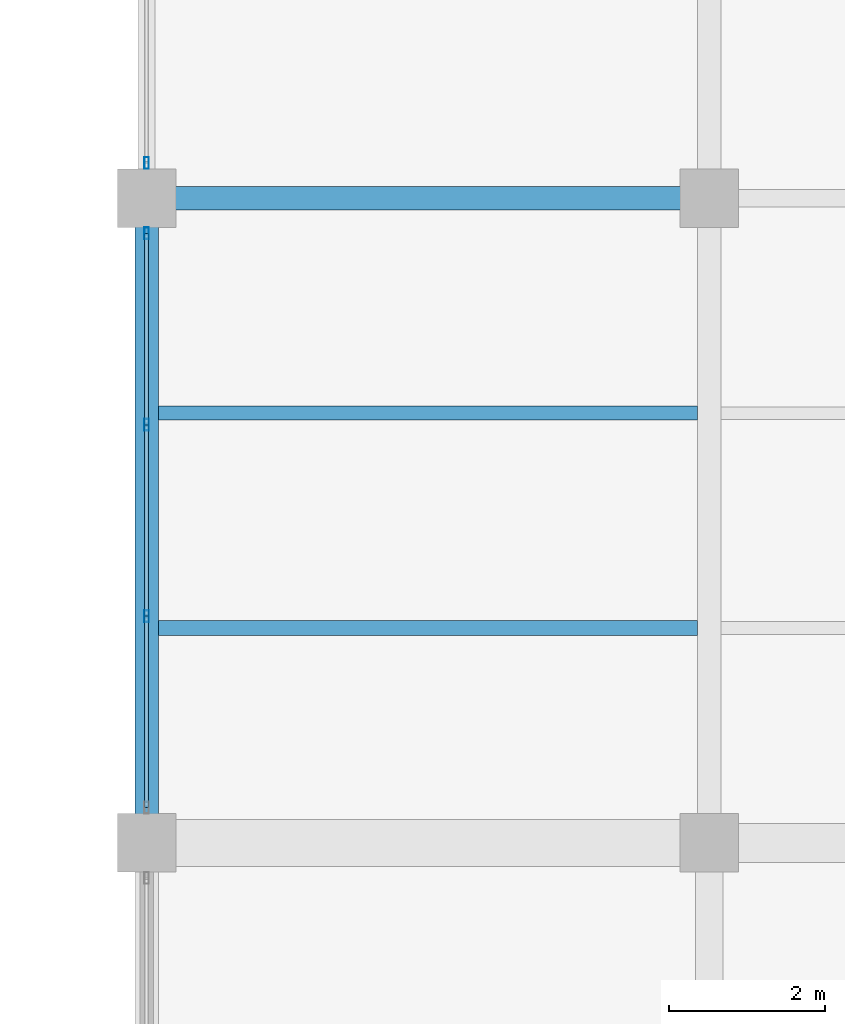
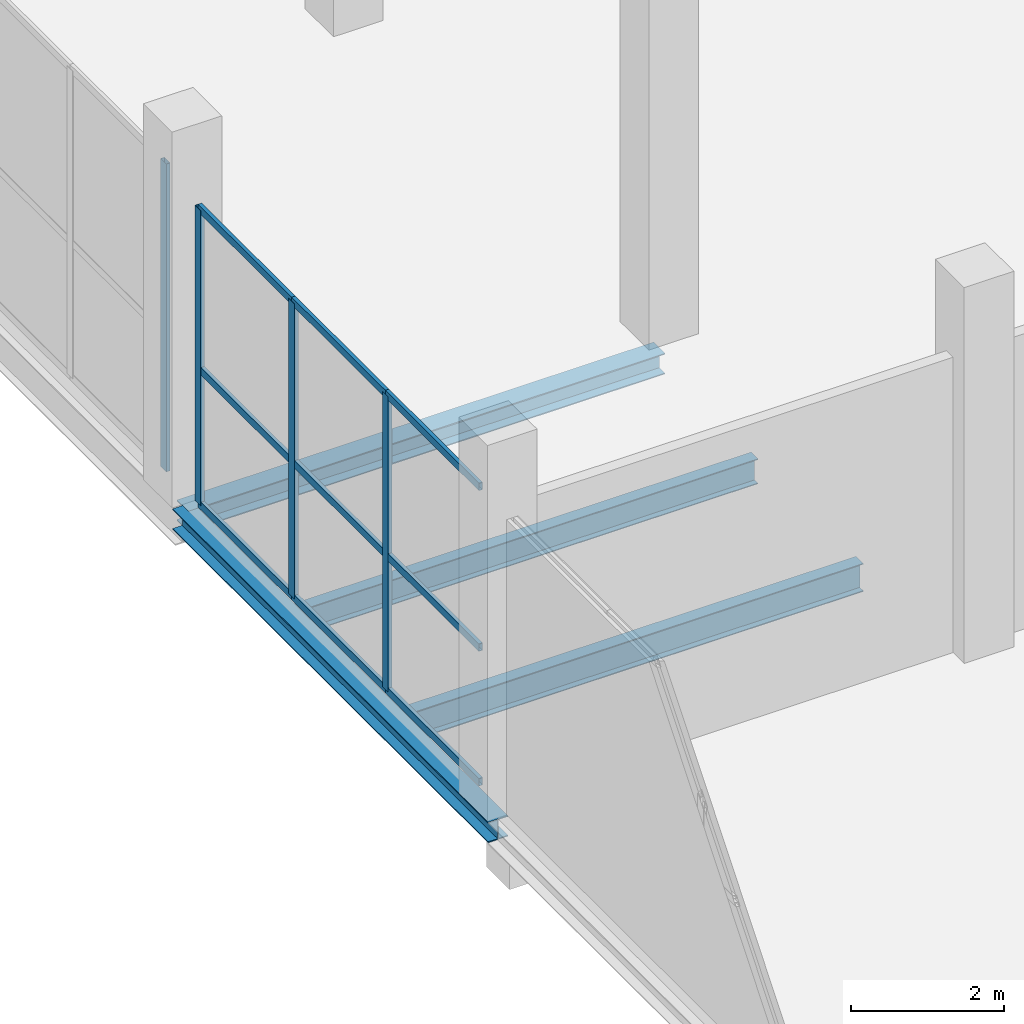
# One storey, part 110 of 144: 13 members, 4 beams, 2 elements without a shape of their own.
"""IFC4 building model written with IfcOpenShell, lengths in metres."""

from ifc_helpers import new_model, si_unit, direction, frame, origin, origin_2d, place, context, subcontext, project, spatial, hollow_rectangle, i_section, extrude, material, layer, layer_set, material_profile, profile_set, type_object, element, aggregate, save


model = new_model("IFC4")

# Units and contexts
model_context = context("Model", 3, precision=1e-05, world=origin(), true_north=direction((0.0, 1.0)))
body_context = subcontext(model_context, "Body", "Model", "MODEL_VIEW")
ifc_project = project(units=[si_unit("LENGTHUNIT", "METRE"), si_unit("AREAUNIT", "SQUARE_METRE"), si_unit("VOLUMEUNIT", "CUBIC_METRE"), si_unit("PLANEANGLEUNIT", "RADIAN"), si_unit("MASSUNIT", "GRAM", prefix="KILO")], contexts=[model_context])

# Site, building, storey
site_placement = place(None, origin())
site = spatial("IfcSite", under=ifc_project, at=site_placement, CompositionType="ELEMENT")
building_placement = place(site_placement, origin())
building = spatial("IfcBuilding", under=site, at=building_placement, Name="Sundgate Opera House", CompositionType="ELEMENT")
storey_placement = place(building_placement, origin())
storey = spatial("IfcBuildingStorey", under=building, at=storey_placement, Name="L00", CompositionType="ELEMENT", Elevation=0.0)

# Beams
ifc_material_1 = material(Name="Steel S355J2", Category="steel")
ifc_material_profile_1 = material_profile(ifc_material_1, i_section(OverallWidth=0.300048828125, OverallDepth=0.330078125, WebThickness=0.009521484375, FlangeThickness=0.0166015625, at=origin_2d()), Name="HEA 340")
ifc_profile_set_1 = profile_set([ifc_material_profile_1], Name="Steel S355J2")
beam_type_1 = type_object("IfcBeamType", Name="BM-GR-HEA340", PredefinedType="BEAM", material=ifc_profile_set_1)
beam_1_placement = place(storey_placement, frame((153.0, 95.25, -0.485107421875), z_axis=(0.0, 1.0, 0.0), x_axis=(-1.0, 0.0, 0.0)))
element("IfcBeam", 1, at=beam_1_placement, inside=storey, type_object=beam_type_1, Name="L00 Primary N-S Girder B0292", PredefinedType="BEAM", context=body_context, shape_type="SweptSolid", body=[
    extrude(i_section(OverallWidth=0.300048828125, OverallDepth=0.330078125, WebThickness=0.009521484375, FlangeThickness=0.0166015625, at=origin_2d()), origin(), (0.0, 0.0, 1.0), 8.25),
])
beam_2_placement = place(storey_placement, frame((153.0, 103.5, -0.485107421875), z_axis=(1.0, 0.0, 0.0), x_axis=(0.0, 1.0, 0.0)))
element("IfcBeam", 2, at=beam_2_placement, inside=storey, type_object=beam_type_1, Name="L00 Primary E-W Girder B0555", PredefinedType="BEAM", context=body_context, shape_type="SweptSolid", body=[
    extrude(i_section(OverallWidth=0.300048828125, OverallDepth=0.330078125, WebThickness=0.009521484375, FlangeThickness=0.0166015625, at=origin_2d()), origin(), (0.0, 0.0, 1.0), 7.199951171875),
])
ifc_material_2 = material(Name="Steel S355J2", Category="steel")
ifc_material_profile_2 = material_profile(ifc_material_2, i_section(OverallWidth=0.179931640625, OverallDepth=0.39990234375, WebThickness=0.008544921875, FlangeThickness=0.013427734375, at=origin_2d()), Name="IPE 400")
ifc_profile_set_2 = profile_set([ifc_material_profile_2], Name="Steel S355J2")
beam_type_2 = type_object("IfcBeamType", Name="BM-JS-IPE400", PredefinedType="JOIST", material=ifc_profile_set_2)
beam_3_placement = place(storey_placement, frame((153.14990234375, 100.75, -0.52001953125), z_axis=(1.0, 0.0, 0.0), x_axis=(0.0, 1.0, 0.0)))
element("IfcBeam", 3, at=beam_3_placement, inside=storey, type_object=beam_type_2, Name="L00 Secondary Floor Joist B0981", PredefinedType="JOIST", context=body_context, shape_type="SweptSolid", body=[
    extrude(i_section(OverallWidth=0.179931640625, OverallDepth=0.39990234375, WebThickness=0.008544921875, FlangeThickness=0.013427734375, at=origin_2d()), origin(), (0.0, 0.0, 1.0), 6.900146484375),
])
ifc_material_3 = material(Name="Steel S355J2", Category="steel")
ifc_material_profile_3 = material_profile(ifc_material_3, i_section(OverallWidth=0.18994140625, OverallDepth=0.449951171875, WebThickness=0.009521484375, FlangeThickness=0.0146484375, at=origin_2d()), Name="IPE 450")
ifc_profile_set_3 = profile_set([ifc_material_profile_3], Name="Steel S355J2")
beam_type_3 = type_object("IfcBeamType", Name="BM-JS-IPE450", PredefinedType="JOIST", material=ifc_profile_set_3)
beam_4_placement = place(storey_placement, frame((153.14990234375, 98.0, -0.544921875), z_axis=(1.0, 0.0, 0.0), x_axis=(0.0, 1.0, 0.0)))
element("IfcBeam", 4, at=beam_4_placement, inside=storey, type_object=beam_type_3, Name="L00 Secondary Floor Joist B0980", PredefinedType="JOIST", context=body_context, shape_type="SweptSolid", body=[
    extrude(i_section(OverallWidth=0.18994140625, OverallDepth=0.449951171875, WebThickness=0.009521484375, FlangeThickness=0.0146484375, at=origin_2d()), origin(), (0.0, 0.0, 1.0), 6.900146484375),
])

# Curtain wall, members
ifc_material_4 = material(Name="Anodized aluminium and low-iron glass", Category="aluminium")
ifc_layer = layer(ifc_material_4, 0.159912109375)
ifc_layer_set = layer_set([ifc_layer], Name="Anodized aluminium and low-iron glass")
curtain_wall_type = type_object("IfcCurtainWallType", Name="CW-STUDIO-DARK", PredefinedType="NOTDEFINED", material=ifc_layer_set)
curtain_wall_1_placement = place(storey_placement, origin())
curtain_wall_1 = element("IfcCurtainWall", 5, at=curtain_wall_1_placement, inside=storey, type_object=curtain_wall_type, Name="L00 Curtain Wall CW091", PredefinedType="NOTDEFINED")
ifc_material_5 = material(Name="Anodized aluminium EN AW-6063", Category="aluminium")
ifc_material_profile_4 = material_profile(ifc_material_5, hollow_rectangle(XDim=0.06005859375, YDim=0.14990234375, WallThickness=0.00390625, at=origin_2d()), Name="CWM 150x60x4")
ifc_profile_set_4 = profile_set([ifc_material_profile_4], Name="Anodized aluminium EN AW-6063")
member_type_1 = type_object("IfcMemberType", Name="CWM-ALU-150x60", PredefinedType="MULLION", material=ifc_profile_set_4)
member_1_placement = place(storey_placement, frame((153.0, 103.050048828125, 0.0), z_axis=(0.0, 0.0, 1.0), x_axis=(1.0, 0.0, 0.0)))
member_1 = element("IfcMember", 6, at=member_1_placement, type_object=member_type_1, Name="CW091 Mullion 1", PredefinedType="MULLION", context=body_context, shape_type="SweptSolid", body=[
    extrude(hollow_rectangle(XDim=0.06005859375, YDim=0.14990234375, WallThickness=0.00390625, at=origin_2d()), origin(), (0.0, 0.0, 1.0), 4.715087890625),
])
member_2_placement = place(storey_placement, frame((153.0, 100.60009765625, 0.0), z_axis=(0.0, 0.0, 1.0), x_axis=(1.0, 0.0, 0.0)))
member_2 = element("IfcMember", 7, at=member_2_placement, type_object=member_type_1, Name="CW091 Mullion 2", PredefinedType="MULLION", context=body_context, shape_type="SweptSolid", body=[
    extrude(hollow_rectangle(XDim=0.06005859375, YDim=0.14990234375, WallThickness=0.00390625, at=origin_2d()), origin(), (0.0, 0.0, 1.0), 4.715087890625),
])
member_3_placement = place(storey_placement, frame((153.0, 98.14990234375, 0.0), z_axis=(0.0, 0.0, 1.0), x_axis=(1.0, 0.0, 0.0)))
member_3 = element("IfcMember", 8, at=member_3_placement, type_object=member_type_1, Name="CW091 Mullion 3", PredefinedType="MULLION", context=body_context, shape_type="SweptSolid", body=[
    extrude(hollow_rectangle(XDim=0.06005859375, YDim=0.14990234375, WallThickness=0.00390625, at=origin_2d()), origin(), (0.0, 0.0, 1.0), 4.715087890625),
])

# Curtain wall, member
curtain_wall_2_placement = place(storey_placement, origin())
curtain_wall_2 = element("IfcCurtainWall", 9, at=curtain_wall_2_placement, inside=storey, type_object=curtain_wall_type, Name="L00 Curtain Wall CW093", PredefinedType="NOTDEFINED")
member_4_placement = place(storey_placement, frame((153.0, 103.949951171875, 0.0), z_axis=(0.0, 0.0, 1.0), x_axis=(1.0, 0.0, 0.0)))
member_4 = element("IfcMember", 10, at=member_4_placement, type_object=member_type_1, Name="CW093 Mullion 4", PredefinedType="MULLION", context=body_context, shape_type="SweptSolid", body=[
    extrude(hollow_rectangle(XDim=0.06005859375, YDim=0.14990234375, WallThickness=0.00390625, at=origin_2d()), origin(), (0.0, 0.0, 1.0), 4.9150390625),
])
aggregate(curtain_wall_2, [member_4])

# Member
ifc_material_6 = material(Name="Anodized aluminium EN AW-6063", Category="aluminium")
ifc_material_profile_5 = material_profile(ifc_material_6, hollow_rectangle(XDim=0.054931640625, YDim=0.1201171875, WallThickness=0.00390625, at=origin_2d()), Name="CWT 120x55x4")
ifc_profile_set_5 = profile_set([ifc_material_profile_5], Name="Anodized aluminium EN AW-6063")
member_type_2 = type_object("IfcMemberType", Name="CWT-ALU-120x55", PredefinedType="USERDEFINED", material=ifc_profile_set_5)
member_5_placement = place(storey_placement, frame((153.0, 103.050048828125, 0.0), z_axis=(0.0, -1.0, 0.0), x_axis=(1.0, 0.0, 0.0)))
member_5 = element("IfcMember", 11, at=member_5_placement, type_object=member_type_2, Name="CW091 Transom 1", ObjectType="TRANSOM", PredefinedType="USERDEFINED", context=body_context, shape_type="SweptSolid", body=[
    extrude(hollow_rectangle(XDim=0.054931640625, YDim=0.1201171875, WallThickness=0.00390625, at=origin_2d()), origin(), (0.0, 0.0, 1.0), 2.449951171875),
])

member_6_placement = place(storey_placement, frame((153.0, 103.050048828125, 2.14990234375), z_axis=(0.0, -1.0, 0.0), x_axis=(1.0, 0.0, 0.0)))
member_6 = element("IfcMember", 12, at=member_6_placement, type_object=member_type_2, Name="CW091 Transom 2", ObjectType="TRANSOM", PredefinedType="USERDEFINED", context=body_context, shape_type="SweptSolid", body=[
    extrude(hollow_rectangle(XDim=0.054931640625, YDim=0.1201171875, WallThickness=0.00390625, at=origin_2d()), origin(), (0.0, 0.0, 1.0), 2.449951171875),
])

member_7_placement = place(storey_placement, frame((153.0, 103.050048828125, 4.715087890625), z_axis=(0.0, -1.0, 0.0), x_axis=(1.0, 0.0, 0.0)))
member_7 = element("IfcMember", 13, at=member_7_placement, type_object=member_type_2, Name="CW091 Transom 3", ObjectType="TRANSOM", PredefinedType="USERDEFINED", context=body_context, shape_type="SweptSolid", body=[
    extrude(hollow_rectangle(XDim=0.054931640625, YDim=0.1201171875, WallThickness=0.00390625, at=origin_2d()), origin(), (0.0, 0.0, 1.0), 2.449951171875),
])

member_8_placement = place(storey_placement, frame((153.0, 100.60009765625, 0.0), z_axis=(0.0, -1.0, 0.0), x_axis=(1.0, 0.0, 0.0)))
member_8 = element("IfcMember", 14, at=member_8_placement, type_object=member_type_2, Name="CW091 Transom 4", ObjectType="TRANSOM", PredefinedType="USERDEFINED", context=body_context, shape_type="SweptSolid", body=[
    extrude(hollow_rectangle(XDim=0.054931640625, YDim=0.1201171875, WallThickness=0.00390625, at=origin_2d()), origin(), (0.0, 0.0, 1.0), 2.4501953125),
])

member_9_placement = place(storey_placement, frame((153.0, 100.60009765625, 2.14990234375), z_axis=(0.0, -1.0, 0.0), x_axis=(1.0, 0.0, 0.0)))
member_9 = element("IfcMember", 15, at=member_9_placement, type_object=member_type_2, Name="CW091 Transom 5", ObjectType="TRANSOM", PredefinedType="USERDEFINED", context=body_context, shape_type="SweptSolid", body=[
    extrude(hollow_rectangle(XDim=0.054931640625, YDim=0.1201171875, WallThickness=0.00390625, at=origin_2d()), origin(), (0.0, 0.0, 1.0), 2.4501953125),
])

member_10_placement = place(storey_placement, frame((153.0, 100.60009765625, 4.715087890625), z_axis=(0.0, -1.0, 0.0), x_axis=(1.0, 0.0, 0.0)))
member_10 = element("IfcMember", 16, at=member_10_placement, type_object=member_type_2, Name="CW091 Transom 6", ObjectType="TRANSOM", PredefinedType="USERDEFINED", context=body_context, shape_type="SweptSolid", body=[
    extrude(hollow_rectangle(XDim=0.054931640625, YDim=0.1201171875, WallThickness=0.00390625, at=origin_2d()), origin(), (0.0, 0.0, 1.0), 2.4501953125),
])

member_11_placement = place(storey_placement, frame((153.0, 98.14990234375, 0.0), z_axis=(0.0, -1.0, 0.0), x_axis=(1.0, 0.0, 0.0)))
member_11 = element("IfcMember", 17, at=member_11_placement, type_object=member_type_2, Name="CW091 Transom 7", ObjectType="TRANSOM", PredefinedType="USERDEFINED", context=body_context, shape_type="SweptSolid", body=[
    extrude(hollow_rectangle(XDim=0.054931640625, YDim=0.1201171875, WallThickness=0.00390625, at=origin_2d()), origin(), (0.0, 0.0, 1.0), 2.449951171875),
])

member_12_placement = place(storey_placement, frame((153.0, 98.14990234375, 2.14990234375), z_axis=(0.0, -1.0, 0.0), x_axis=(1.0, 0.0, 0.0)))
member_12 = element("IfcMember", 18, at=member_12_placement, type_object=member_type_2, Name="CW091 Transom 8", ObjectType="TRANSOM", PredefinedType="USERDEFINED", context=body_context, shape_type="SweptSolid", body=[
    extrude(hollow_rectangle(XDim=0.054931640625, YDim=0.1201171875, WallThickness=0.00390625, at=origin_2d()), origin(), (0.0, 0.0, 1.0), 2.449951171875),
])

member_13_placement = place(storey_placement, frame((153.0, 98.14990234375, 4.715087890625), z_axis=(0.0, -1.0, 0.0), x_axis=(1.0, 0.0, 0.0)))
member_13 = element("IfcMember", 19, at=member_13_placement, type_object=member_type_2, Name="CW091 Transom 9", ObjectType="TRANSOM", PredefinedType="USERDEFINED", context=body_context, shape_type="SweptSolid", body=[
    extrude(hollow_rectangle(XDim=0.054931640625, YDim=0.1201171875, WallThickness=0.00390625, at=origin_2d()), origin(), (0.0, 0.0, 1.0), 2.449951171875),
])

aggregate(curtain_wall_1, [member_1, member_2, member_3, member_5, member_6, member_7, member_8, member_9, member_10, member_11, member_12, member_13])

save(model, "model.ifc")
